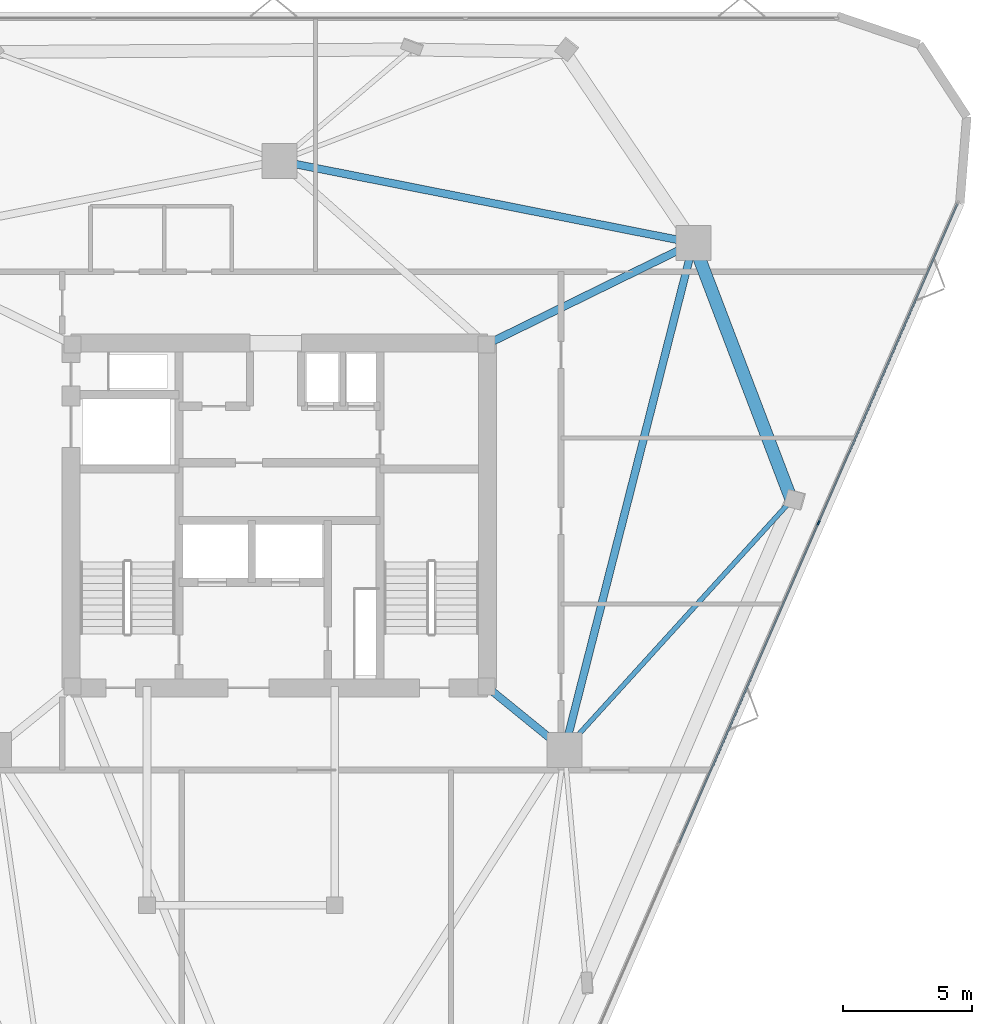
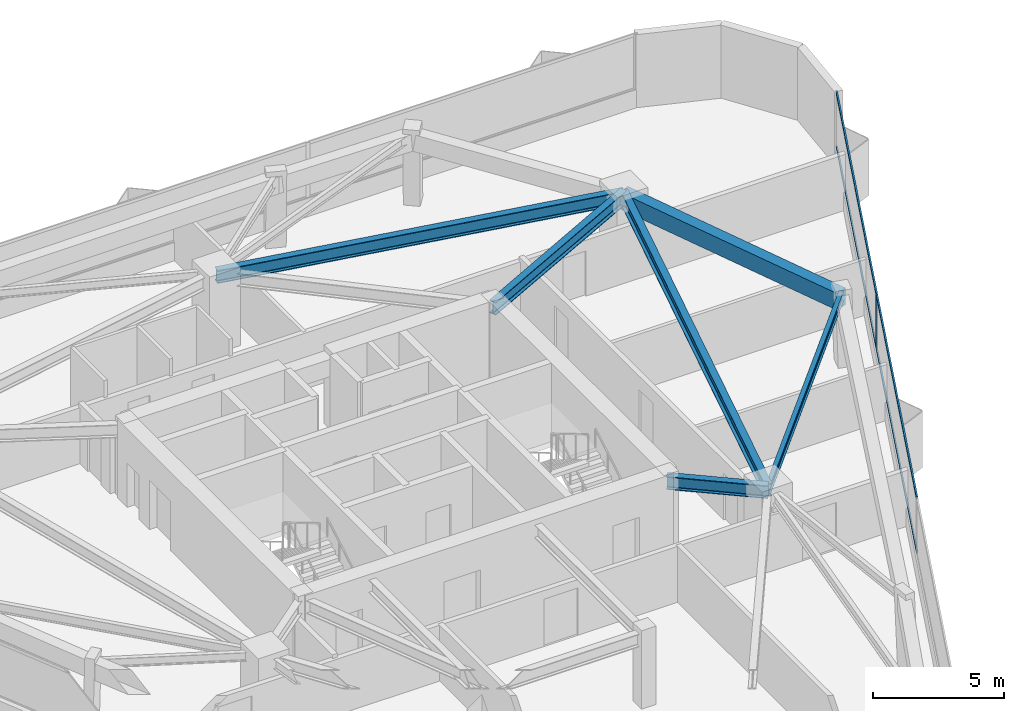
# One storey, part 7 of 12: 6 beams, 5 members, 1 element without a shape of its own.
"""IFC4 building model written with IfcOpenShell, lengths in metres."""

from ifc_helpers import new_model, si_unit, direction, frame, origin, origin_2d, place, context, subcontext, project, spatial, rectangle, i_section, extrude, material, layer, layer_set, material_profile, profile_set, type_object, element, aggregate, save


model = new_model("IFC4")

# Units and contexts
model_context = context("Model", 3, precision=1e-05, world=origin(), true_north=direction((0.0, 1.0)))
body_context = subcontext(model_context, "Body", "Model", "MODEL_VIEW")
ifc_project = project(units=[si_unit("LENGTHUNIT", "METRE"), si_unit("AREAUNIT", "SQUARE_METRE"), si_unit("VOLUMEUNIT", "CUBIC_METRE"), si_unit("PLANEANGLEUNIT", "RADIAN"), si_unit("MASSUNIT", "GRAM", prefix="KILO")], contexts=[model_context])

# Site, building, storey
site_placement = place(None, origin())
site = spatial("IfcSite", under=ifc_project, at=site_placement, CompositionType="ELEMENT")
building_placement = place(site_placement, origin())
building = spatial("IfcBuilding", under=site, at=building_placement, Name="Talyreon Biosciences Tower", CompositionType="ELEMENT")
storey_placement = place(building_placement, frame((0.0, 0.0, 186.699951171875)))
storey = spatial("IfcBuildingStorey", under=building, at=storey_placement, Name="L49", CompositionType="ELEMENT", Elevation=186.699951171875)

# Curtain wall, members
ifc_material_1 = material(Name="Thermally broken aluminium and low-E glazing", Category="aluminium")
ifc_layer = layer(ifc_material_1, 0.179931640625)
ifc_layer_set = layer_set([ifc_layer], Name="Thermally broken aluminium and low-E glazing")
curtain_wall_type = type_object("IfcCurtainWallType", Name="CurtainWall_Zone4Optical", PredefinedType="NOTDEFINED", material=ifc_layer_set)
curtain_wall_placement = place(storey_placement, origin())
curtain_wall = element("IfcCurtainWall", 1, at=curtain_wall_placement, inside=storey, type_object=curtain_wall_type, Name="L49 Unitised Curtain Wall FCW-L49-08", PredefinedType="NOTDEFINED")
ifc_material_2 = material(Name="Anodised thermally broken aluminium", Category="aluminium")
ifc_material_profile_1 = material_profile(ifc_material_2, rectangle(XDim=0.06494140625, YDim=0.179931640625, at=origin_2d()), Name="ALUM MULLION 65x180")
ifc_profile_set_1 = profile_set([ifc_material_profile_1], Name="Anodised thermally broken aluminium")
member_type_1 = type_object("IfcMemberType", Name="CWMullion_65x180", PredefinedType="MULLION", material=ifc_profile_set_1)
member_1_placement = place(storey_placement, frame((86.966552734375, 67.713623046875, 0.81005859375), z_axis=(0.0, 0.0, 1.0), x_axis=(0.916912184291, -0.399089020519, 0.0)))
member_1 = element("IfcMember", 2, at=member_1_placement, type_object=member_type_1, Name="CW5 mullion 2", PredefinedType="MULLION", context=body_context, shape_type="SweptSolid", body=[
    extrude(rectangle(XDim=0.06494140625, YDim=0.179931640625, at=origin_2d()), origin(), (0.0, 0.0, 1.0), 2.590087890625),
])
ifc_material_profile_2 = material_profile(ifc_material_2, rectangle(XDim=0.06494140625, YDim=0.139892578125, at=origin_2d()), Name="ALUM TRANSOM 65x140")
ifc_profile_set_2 = profile_set([ifc_material_profile_2], Name="Anodised thermally broken aluminium")
member_type_2 = type_object("IfcMemberType", Name="CWTransom_65x140", PredefinedType="USERDEFINED", material=ifc_profile_set_2)
member_2_placement = place(storey_placement, frame((92.36474609375, 80.115966796875, 0.842529296875), z_axis=(-0.399077385587, -0.916917248345, 0.0), x_axis=(0.916917248345, -0.399077385587, 0.0)))
member_2 = element("IfcMember", 3, at=member_2_placement, type_object=member_type_2, Name="CW5 transom 1.1", ObjectType="TRANSOM", PredefinedType="USERDEFINED", context=body_context, shape_type="SweptSolid", body=[
    extrude(rectangle(XDim=0.06494140625, YDim=0.139892578125, at=origin_2d()), origin(), (0.0, 0.0, 1.0), 13.49365234375),
])
member_3_placement = place(storey_placement, frame((92.36474609375, 80.115966796875, 3.367431640625), z_axis=(-0.399077385587, -0.916917248345, 0.0), x_axis=(0.916917248345, -0.399077385587, 0.0)))
member_3 = element("IfcMember", 4, at=member_3_placement, type_object=member_type_2, Name="CW5 transom 1.2", ObjectType="TRANSOM", PredefinedType="USERDEFINED", context=body_context, shape_type="SweptSolid", body=[
    extrude(rectangle(XDim=0.06494140625, YDim=0.139892578125, at=origin_2d()), origin(), (0.0, 0.0, 1.0), 13.49365234375),
])
member_4_placement = place(storey_placement, frame((86.95361328125, 67.683837890625, 0.842529296875), z_axis=(-0.399082487198, -0.916915027913, 0.0), x_axis=(0.916915027913, -0.399082487198, 0.0)))
member_4 = element("IfcMember", 5, at=member_4_placement, type_object=member_type_2, Name="CW5 transom 2.1", ObjectType="TRANSOM", PredefinedType="USERDEFINED", context=body_context, shape_type="SweptSolid", body=[
    extrude(rectangle(XDim=0.06494140625, YDim=0.139892578125, at=origin_2d()), origin(), (0.0, 0.0, 1.0), 13.52587890625),
])
member_5_placement = place(storey_placement, frame((86.95361328125, 67.683837890625, 3.367431640625), z_axis=(-0.399082487198, -0.916915027913, 0.0), x_axis=(0.916915027913, -0.399082487198, 0.0)))
member_5 = element("IfcMember", 6, at=member_5_placement, type_object=member_type_2, Name="CW5 transom 2.2", ObjectType="TRANSOM", PredefinedType="USERDEFINED", context=body_context, shape_type="SweptSolid", body=[
    extrude(rectangle(XDim=0.06494140625, YDim=0.139892578125, at=origin_2d()), origin(), (0.0, 0.0, 1.0), 13.52587890625),
])
aggregate(curtain_wall, [member_1, member_2, member_3, member_4, member_5])

# Beams
ifc_material_3 = material(Name="Precast concrete C45/55", Category="concrete")
ifc_material_profile_3 = material_profile(ifc_material_3, rectangle(XDim=0.5, YDim=0.780029296875, at=origin_2d()), Name="RCB 500x780")
ifc_profile_set_3 = profile_set([ifc_material_profile_3], Name="Precast concrete C45/55")
beam_type_1 = type_object("IfcBeamType", Name="ExpressedSpandrel_500x780", PredefinedType="SPANDREL", material=ifc_profile_set_3)
beam_1_placement = place(storey_placement, frame((85.91650390625, 68.597900390625, 3.010009765625), z_axis=(-0.356354789993, 0.934350717691, 0.0), x_axis=(-0.934350717691, -0.356354789993, 0.0)))
element("IfcBeam", 7, at=beam_1_placement, inside=storey, type_object=beam_type_1, Name="L49 Expressed Horizontal Concrete Spandrel 04", PredefinedType="SPANDREL", context=body_context, shape_type="SweptSolid", body=[
    extrude(rectangle(XDim=0.5, YDim=0.780029296875, at=origin_2d()), origin(), (0.0, 0.0, 1.0), 10.703369140625),
])
ifc_material_4 = material(Name="Steel SM355", Category="steel")
ifc_material_profile_4 = material_profile(ifc_material_4, i_section(OverallWidth=0.300048828125, OverallDepth=0.60009765625, WebThickness=0.015380859375, FlangeThickness=0.030029296875, FilletRadius=0.027099609375, at=origin_2d()), Name="HE600B")
ifc_profile_set_4 = profile_set([ifc_material_profile_4], Name="Steel SM355")
beam_type_2 = type_object("IfcBeamType", Name="SteelBeam_HE600B", PredefinedType="BEAM", material=ifc_profile_set_4)
beam_2_placement = place(storey_placement, frame((77.086181640625, 58.88037109375, 3.10009765625), z_axis=(0.246537082299, 0.969133358755, 0.0), x_axis=(-0.969133358755, 0.246537082299, 0.0)))
element("IfcBeam", 8, at=beam_2_placement, inside=storey, type_object=beam_type_2, Name="L49 Mega-Ring Girder 2", PredefinedType="BEAM", context=body_context, shape_type="SweptSolid", body=[
    extrude(i_section(OverallWidth=0.300048828125, OverallDepth=0.60009765625, WebThickness=0.015380859375, FlangeThickness=0.030029296875, FilletRadius=0.027099609375, at=origin_2d()), origin(), (0.0, 0.0, 1.0), 20.34619140625),
])
beam_3_placement = place(storey_placement, frame((82.102294921875, 78.5986328125, 3.10009765625), z_axis=(-0.980933730698, 0.194342522311, 0.0), x_axis=(-0.194342522311, -0.980933730698, 0.0)))
element("IfcBeam", 9, at=beam_3_placement, inside=storey, type_object=beam_type_2, Name="L49 Mega-Ring Girder 3", PredefinedType="BEAM", context=body_context, shape_type="SweptSolid", body=[
    extrude(i_section(OverallWidth=0.300048828125, OverallDepth=0.60009765625, WebThickness=0.015380859375, FlangeThickness=0.030029296875, FilletRadius=0.027099609375, at=origin_2d()), origin(), (0.0, 0.0, 1.0), 16.415283203125),
])
beam_4_placement = place(storey_placement, frame((74.050048828125, 61.35009765625, 3.10009765625), z_axis=(0.775755154013, -0.631034025249, 0.0), x_axis=(0.631034025249, 0.775755154013, 0.0)))
element("IfcBeam", 10, at=beam_4_placement, inside=storey, type_object=beam_type_2, Name="L49 Radial Primary Girder 2", PredefinedType="BEAM", context=body_context, shape_type="SweptSolid", body=[
    extrude(i_section(OverallWidth=0.300048828125, OverallDepth=0.60009765625, WebThickness=0.015380859375, FlangeThickness=0.030029296875, FilletRadius=0.027099609375, at=origin_2d()), origin(), (0.0, 0.0, 1.0), 3.913818359375),
])
beam_5_placement = place(storey_placement, frame((74.050048828125, 74.64990234375, 3.10009765625), z_axis=(0.897852360314, 0.440296648952, 0.0), x_axis=(-0.440296648952, 0.897852360314, 0.0)))
element("IfcBeam", 11, at=beam_5_placement, inside=storey, type_object=beam_type_2, Name="L49 Radial Primary Girder 3", PredefinedType="BEAM", context=body_context, shape_type="SweptSolid", body=[
    extrude(i_section(OverallWidth=0.300048828125, OverallDepth=0.60009765625, WebThickness=0.015380859375, FlangeThickness=0.030029296875, FilletRadius=0.027099609375, at=origin_2d()), origin(), (0.0, 0.0, 1.0), 8.96826171875),
])
ifc_material_profile_5 = material_profile(ifc_material_4, i_section(OverallWidth=0.18994140625, OverallDepth=0.449951171875, WebThickness=0.009521484375, FlangeThickness=0.0146484375, FilletRadius=0.02099609375, at=origin_2d()), Name="IPE450")
ifc_profile_set_5 = profile_set([ifc_material_profile_5], Name="Steel SM355")
beam_type_3 = type_object("IfcBeamType", Name="SteelJoist_IPE450", PredefinedType="JOIST", material=ifc_profile_set_5)
beam_6_placement = place(storey_placement, frame((77.086181640625, 58.88037109375, 3.175048828125), z_axis=(0.672514522064, 0.740083926061, 0.0), x_axis=(-0.740083926061, 0.672514522064, 0.0)))
element("IfcBeam", 12, at=beam_6_placement, inside=storey, type_object=beam_type_3, Name="L49 Radial Composite Floor Joist PC-SE2", PredefinedType="JOIST", context=body_context, shape_type="SweptSolid", body=[
    extrude(i_section(OverallWidth=0.18994140625, OverallDepth=0.449951171875, WebThickness=0.009521484375, FlangeThickness=0.0146484375, FilletRadius=0.02099609375, at=origin_2d()), origin(), (0.0, 0.0, 1.0), 13.13037109375),
])

save(model, "model.ifc")
